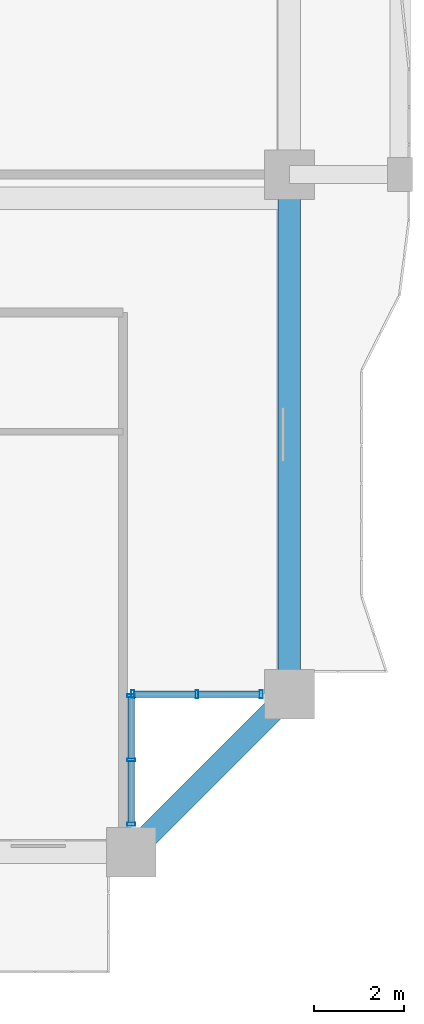
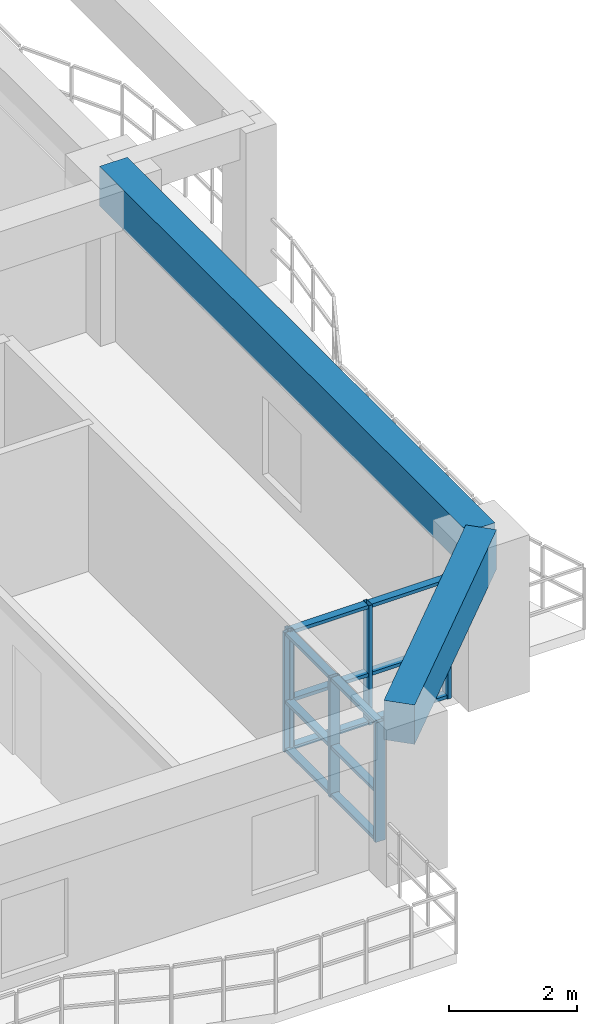
# One storey, part 4 of 27: 18 members, 2 beams, 2 elements without a shape of their own.
"""IFC4 building model written with IfcOpenShell, lengths in metres."""

from ifc_helpers import new_model, si_unit, direction, frame, origin, origin_2d, place, context, subcontext, project, spatial, rectangle, hollow_rectangle, extrude, source, transform, mapped, material, layer, layer_set, material_profile, profile_set, type_object, element, aggregate, save


model = new_model("IFC4")

# Units and contexts
model_context = context("Model", 3, precision=1e-05, world=origin(), true_north=direction((0.0, 1.0)))
body_context = subcontext(model_context, "Body", "Model", "MODEL_VIEW")
ifc_project = project(units=[si_unit("LENGTHUNIT", "METRE"), si_unit("AREAUNIT", "SQUARE_METRE"), si_unit("VOLUMEUNIT", "CUBIC_METRE"), si_unit("PLANEANGLEUNIT", "RADIAN"), si_unit("MASSUNIT", "GRAM", prefix="KILO")], contexts=[model_context])

# Site, building, storey
site_placement = place(None, origin())
site = spatial("IfcSite", under=ifc_project, at=site_placement, CompositionType="ELEMENT")
building_placement = place(site_placement, origin())
building = spatial("IfcBuilding", under=site, at=building_placement, Name="Saelheon Loggia Tower", CompositionType="ELEMENT")
storey_placement = place(building_placement, frame((0.0, 0.0, 52.39990234375)))
storey = spatial("IfcBuildingStorey", under=building, at=storey_placement, Name="L16", CompositionType="ELEMENT", Elevation=52.39990234375)

# Beams
ifc_material_1 = material(Name="Concrete C45/55", Category="concrete")
ifc_material_profile_1 = material_profile(ifc_material_1, rectangle(XDim=0.5, YDim=0.75, at=origin_2d()), Name="RC-500x750")
ifc_profile_set_1 = profile_set([ifc_material_profile_1], Name="Concrete C45/55")
beam_type = type_object("IfcBeamType", Name="Beam_PerimGirder_RC500x750", PredefinedType="BEAM", material=ifc_profile_set_1)
shared_shape_1 = source(origin(), body_context, "Body", "SweptSolid", [
    extrude(rectangle(XDim=0.5, YDim=0.75, at=origin_2d()), origin(), (0.0, 0.0, 1.0), 4.94970703125),
])
beam_1_placement = place(storey_placement, frame((60.5, 3.0, 2.625), z_axis=(0.707106781187, 0.707106781187, 0.0), x_axis=(-0.707106781187, 0.707106781187, 0.0)))
element("IfcBeam", 1, at=beam_1_placement, inside=storey, type_object=beam_type, Name="L16 Perimeter Frame Girder 04", PredefinedType="BEAM", context=body_context, shape_type="MappedRepresentation", body=[
    mapped(shared_shape_1, transform((0.0, 0.0, 0.0), scale=1.0)),
])
shared_shape_2 = source(origin(), body_context, "Body", "SweptSolid", [
    extrude(rectangle(XDim=0.5, YDim=0.75, at=origin_2d()), origin(), (0.0, 0.0, 1.0), 11.5),
])
beam_2_placement = place(storey_placement, frame((64.0, 6.5, 2.625), z_axis=(0.0, 1.0, 0.0), x_axis=(-1.0, 0.0, 0.0)))
element("IfcBeam", 2, at=beam_2_placement, inside=storey, type_object=beam_type, Name="L16 Perimeter Frame Girder 05", PredefinedType="BEAM", context=body_context, shape_type="MappedRepresentation", body=[
    mapped(shared_shape_2, transform((0.0, 0.0, 0.0), scale=1.0)),
])

# Curtain wall, members
ifc_material_2 = material(Name="Thermal-Break Aluminium and Triple Low-E Glass", Category="aluminium")
ifc_layer = layer(ifc_material_2, 0.159912109375)
ifc_layer_set = layer_set([ifc_layer], Name="Thermal-Break Aluminium and Triple Low-E Glass")
curtain_wall_type = type_object("IfcCurtainWallType", Name="CW_TowerLoggiaLow", PredefinedType="NOTDEFINED", material=ifc_layer_set)
curtain_wall_1_placement = place(storey_placement, origin())
curtain_wall_1 = element("IfcCurtainWall", 3, at=curtain_wall_1_placement, inside=storey, type_object=curtain_wall_type, Name="L16 Corner Notch Glazing SE1", PredefinedType="NOTDEFINED")
ifc_material_3 = material(Name="Anodised Aluminium 6063-T6", Category="aluminium")
ifc_material_profile_2 = material_profile(ifc_material_3, hollow_rectangle(XDim=0.06494140625, YDim=0.179931640625, WallThickness=0.00390625, at=origin_2d()), Name="RHS-180x65x4")
ifc_profile_set_2 = profile_set([ifc_material_profile_2], Name="Anodised Aluminium 6063-T6")
member_type_1 = type_object("IfcMemberType", Name="CW_TowerLoggiaLow_Mullion", PredefinedType="MULLION", material=ifc_profile_set_2)
shared_shape_3 = source(origin(), body_context, "Body", "SweptSolid", [
    extrude(hollow_rectangle(XDim=0.06494140625, YDim=0.179931640625, WallThickness=0.00390625, at=origin_2d()), origin(), (0.0, 0.0, 1.0), 2.280029296875),
])
member_1_placement = place(storey_placement, frame((60.5, 3.62255859375, 0.0), z_axis=(0.0, 0.0, 1.0), x_axis=(0.0, 1.0, 0.0)))
member_1 = element("IfcMember", 4, at=member_1_placement, type_object=member_type_1, Name="CW3 mullion 1", PredefinedType="MULLION", context=body_context, shape_type="MappedRepresentation", body=[
    mapped(shared_shape_3, transform((0.0, 0.0, 0.0), scale=1.0)),
])
member_2_placement = place(storey_placement, frame((60.5, 5.044921875, 0.0), z_axis=(0.0, 0.0, 1.0), x_axis=(0.0, 1.0, 0.0)))
member_2 = element("IfcMember", 5, at=member_2_placement, type_object=member_type_1, Name="CW3 mullion 2", PredefinedType="MULLION", context=body_context, shape_type="MappedRepresentation", body=[
    mapped(shared_shape_3, transform((0.0, 0.0, 0.0), scale=1.0)),
])
member_3_placement = place(storey_placement, frame((60.5, 6.467529296875, 0.0), z_axis=(0.0, 0.0, 1.0), x_axis=(0.0, 1.0, 0.0)))
member_3 = element("IfcMember", 6, at=member_3_placement, type_object=member_type_1, Name="CW3 mullion 3", PredefinedType="MULLION", context=body_context, shape_type="MappedRepresentation", body=[
    mapped(shared_shape_3, transform((0.0, 0.0, 0.0), scale=1.0)),
])

curtain_wall_2_placement = place(storey_placement, origin())
curtain_wall_2 = element("IfcCurtainWall", 7, at=curtain_wall_2_placement, inside=storey, type_object=curtain_wall_type, Name="L16 Corner Notch Glazing SE2", PredefinedType="NOTDEFINED")
member_4_placement = place(storey_placement, frame((60.532470703125, 6.5, 0.0), z_axis=(0.0, 0.0, 1.0), x_axis=(1.0, 0.0, 0.0)))
member_4 = element("IfcMember", 8, at=member_4_placement, type_object=member_type_1, Name="CW3 mullion 1", PredefinedType="MULLION", context=body_context, shape_type="MappedRepresentation", body=[
    mapped(shared_shape_3, transform((0.0, 0.0, 0.0), scale=1.0)),
])
member_5_placement = place(storey_placement, frame((61.955078125, 6.5, 0.0), z_axis=(0.0, 0.0, 1.0), x_axis=(1.0, 0.0, 0.0)))
member_5 = element("IfcMember", 9, at=member_5_placement, type_object=member_type_1, Name="CW3 mullion 2", PredefinedType="MULLION", context=body_context, shape_type="MappedRepresentation", body=[
    mapped(shared_shape_3, transform((0.0, 0.0, 0.0), scale=1.0)),
])
member_6_placement = place(storey_placement, frame((63.37744140625, 6.5, 0.0), z_axis=(0.0, 0.0, 1.0), x_axis=(1.0, 0.0, 0.0)))
member_6 = element("IfcMember", 10, at=member_6_placement, type_object=member_type_1, Name="CW3 mullion 3", PredefinedType="MULLION", context=body_context, shape_type="MappedRepresentation", body=[
    mapped(shared_shape_3, transform((0.0, 0.0, 0.0), scale=1.0)),
])

# Member
ifc_material_profile_3 = material_profile(ifc_material_3, hollow_rectangle(XDim=0.06494140625, YDim=0.139892578125, WallThickness=0.00390625, at=origin_2d()), Name="RHS-140x65x4")
ifc_profile_set_3 = profile_set([ifc_material_profile_3], Name="Anodised Aluminium 6063-T6")
member_type_2 = type_object("IfcMemberType", Name="CW_TowerLoggiaLow_Transom", PredefinedType="USERDEFINED", material=ifc_profile_set_3)
shared_shape_4 = source(origin(), body_context, "Body", "SweptSolid", [
    extrude(hollow_rectangle(XDim=0.06494140625, YDim=0.139892578125, WallThickness=0.00390625, at=origin_2d()), origin(), (0.0, 0.0, 1.0), 1.357421875),
])
member_7_placement = place(storey_placement, frame((60.5, 3.655029296875, 0.03271484375), z_axis=(0.0, 1.0, 0.0), x_axis=(0.0, 0.0, 1.0)))
member_7 = element("IfcMember", 11, at=member_7_placement, type_object=member_type_2, Name="CW3 transom 1.1", ObjectType="TRANSOM", PredefinedType="USERDEFINED", context=body_context, shape_type="MappedRepresentation", body=[
    mapped(shared_shape_4, transform((0.0, 0.0, 0.0), scale=1.0)),
])

member_8_placement = place(storey_placement, frame((60.5, 3.655029296875, 0.9501953125), z_axis=(0.0, 1.0, 0.0), x_axis=(0.0, 0.0, 1.0)))
member_8 = element("IfcMember", 12, at=member_8_placement, type_object=member_type_2, Name="CW3 transom 1.2", ObjectType="TRANSOM", PredefinedType="USERDEFINED", context=body_context, shape_type="MappedRepresentation", body=[
    mapped(shared_shape_4, transform((0.0, 0.0, 0.0), scale=1.0)),
])

member_9_placement = place(storey_placement, frame((60.5, 3.655029296875, 2.24755859375), z_axis=(0.0, 1.0, 0.0), x_axis=(0.0, 0.0, 1.0)))
member_9 = element("IfcMember", 13, at=member_9_placement, type_object=member_type_2, Name="CW3 transom 1.3", ObjectType="TRANSOM", PredefinedType="USERDEFINED", context=body_context, shape_type="MappedRepresentation", body=[
    mapped(shared_shape_4, transform((0.0, 0.0, 0.0), scale=1.0)),
])

member_10_placement = place(storey_placement, frame((61.987548828125, 6.5, 0.03271484375), z_axis=(1.0, 0.0, 0.0), x_axis=(0.0, 0.0, 1.0)))
member_10 = element("IfcMember", 14, at=member_10_placement, type_object=member_type_2, Name="CW3 transom 2.1", ObjectType="TRANSOM", PredefinedType="USERDEFINED", context=body_context, shape_type="MappedRepresentation", body=[
    mapped(shared_shape_4, transform((0.0, 0.0, 0.0), scale=1.0)),
])

member_11_placement = place(storey_placement, frame((61.987548828125, 6.5, 0.9501953125), z_axis=(1.0, 0.0, 0.0), x_axis=(0.0, 0.0, 1.0)))
member_11 = element("IfcMember", 15, at=member_11_placement, type_object=member_type_2, Name="CW3 transom 2.2", ObjectType="TRANSOM", PredefinedType="USERDEFINED", context=body_context, shape_type="MappedRepresentation", body=[
    mapped(shared_shape_4, transform((0.0, 0.0, 0.0), scale=1.0)),
])

member_12_placement = place(storey_placement, frame((61.987548828125, 6.5, 2.24755859375), z_axis=(1.0, 0.0, 0.0), x_axis=(0.0, 0.0, 1.0)))
member_12 = element("IfcMember", 16, at=member_12_placement, type_object=member_type_2, Name="CW3 transom 2.3", ObjectType="TRANSOM", PredefinedType="USERDEFINED", context=body_context, shape_type="MappedRepresentation", body=[
    mapped(shared_shape_4, transform((0.0, 0.0, 0.0), scale=1.0)),
])

shared_shape_5 = source(origin(), body_context, "Body", "SweptSolid", [
    extrude(hollow_rectangle(XDim=0.06494140625, YDim=0.139892578125, WallThickness=0.00390625, at=origin_2d()), origin(), (0.0, 0.0, 1.0), 1.357666015625),
])
member_13_placement = place(storey_placement, frame((60.5, 5.077392578125, 0.03271484375), z_axis=(0.0, 1.0, 0.0), x_axis=(0.0, 0.0, 1.0)))
member_13 = element("IfcMember", 17, at=member_13_placement, type_object=member_type_2, Name="CW3 transom 2.1", ObjectType="TRANSOM", PredefinedType="USERDEFINED", context=body_context, shape_type="MappedRepresentation", body=[
    mapped(shared_shape_5, transform((0.0, 0.0, 0.0), scale=1.0)),
])

member_14_placement = place(storey_placement, frame((60.5, 5.077392578125, 0.9501953125), z_axis=(0.0, 1.0, 0.0), x_axis=(0.0, 0.0, 1.0)))
member_14 = element("IfcMember", 18, at=member_14_placement, type_object=member_type_2, Name="CW3 transom 2.2", ObjectType="TRANSOM", PredefinedType="USERDEFINED", context=body_context, shape_type="MappedRepresentation", body=[
    mapped(shared_shape_5, transform((0.0, 0.0, 0.0), scale=1.0)),
])

member_15_placement = place(storey_placement, frame((60.5, 5.077392578125, 2.24755859375), z_axis=(0.0, 1.0, 0.0), x_axis=(0.0, 0.0, 1.0)))
member_15 = element("IfcMember", 19, at=member_15_placement, type_object=member_type_2, Name="CW3 transom 2.3", ObjectType="TRANSOM", PredefinedType="USERDEFINED", context=body_context, shape_type="MappedRepresentation", body=[
    mapped(shared_shape_5, transform((0.0, 0.0, 0.0), scale=1.0)),
])

aggregate(curtain_wall_1, [member_1, member_2, member_3, member_7, member_8, member_9, member_13, member_14, member_15])

member_16_placement = place(storey_placement, frame((60.56494140625, 6.5, 0.03271484375), z_axis=(1.0, 0.0, 0.0), x_axis=(0.0, 0.0, 1.0)))
member_16 = element("IfcMember", 20, at=member_16_placement, type_object=member_type_2, Name="CW3 transom 1.1", ObjectType="TRANSOM", PredefinedType="USERDEFINED", context=body_context, shape_type="MappedRepresentation", body=[
    mapped(shared_shape_5, transform((0.0, 0.0, 0.0), scale=1.0)),
])

member_17_placement = place(storey_placement, frame((60.56494140625, 6.5, 0.9501953125), z_axis=(1.0, 0.0, 0.0), x_axis=(0.0, 0.0, 1.0)))
member_17 = element("IfcMember", 21, at=member_17_placement, type_object=member_type_2, Name="CW3 transom 1.2", ObjectType="TRANSOM", PredefinedType="USERDEFINED", context=body_context, shape_type="MappedRepresentation", body=[
    mapped(shared_shape_5, transform((0.0, 0.0, 0.0), scale=1.0)),
])

member_18_placement = place(storey_placement, frame((60.56494140625, 6.5, 2.24755859375), z_axis=(1.0, 0.0, 0.0), x_axis=(0.0, 0.0, 1.0)))
member_18 = element("IfcMember", 22, at=member_18_placement, type_object=member_type_2, Name="CW3 transom 1.3", ObjectType="TRANSOM", PredefinedType="USERDEFINED", context=body_context, shape_type="MappedRepresentation", body=[
    mapped(shared_shape_5, transform((0.0, 0.0, 0.0), scale=1.0)),
])

aggregate(curtain_wall_2, [member_4, member_5, member_6, member_16, member_17, member_18, member_10, member_11, member_12])

save(model, "model.ifc")
